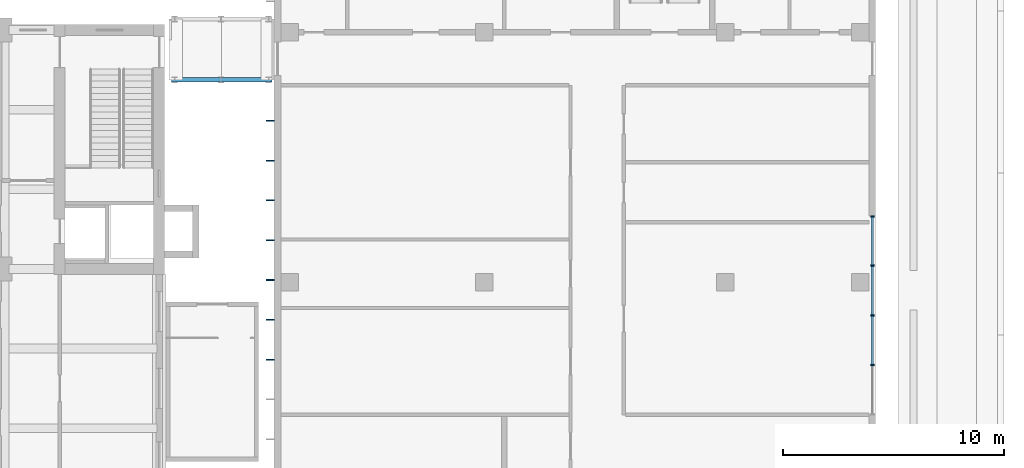
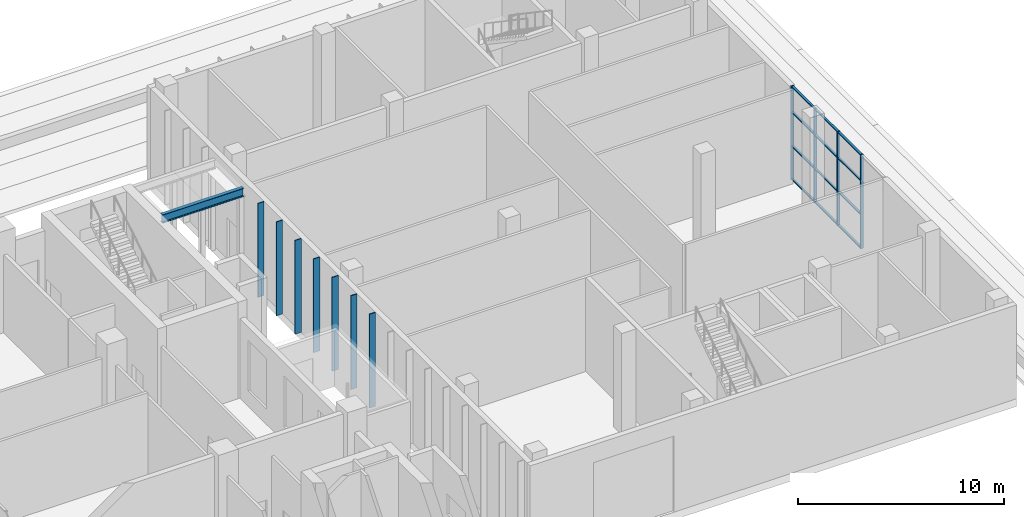
# One storey, part 39 of 71: 23 members, 1 beam, 1 element without a shape of its own.
"""IFC4 building model written with IfcOpenShell, lengths in metres."""

from ifc_helpers import new_model, si_unit, direction, frame, origin, origin_2d, place, context, subcontext, project, spatial, rectangle, i_section, extrude, material, layer, layer_set, material_profile, profile_set, type_object, element, aggregate, save


model = new_model("IFC4")

# Units and contexts
model_context = context("Model", 3, precision=1e-05, world=origin(), true_north=direction((0.0, 1.0)))
body_context = subcontext(model_context, "Body", "Model", "MODEL_VIEW")
ifc_project = project(units=[si_unit("LENGTHUNIT", "METRE"), si_unit("AREAUNIT", "SQUARE_METRE"), si_unit("VOLUMEUNIT", "CUBIC_METRE"), si_unit("PLANEANGLEUNIT", "RADIAN"), si_unit("MASSUNIT", "GRAM", prefix="KILO")], contexts=[model_context])

# Site, building, storey
site_placement = place(None, origin())
site = spatial("IfcSite", under=ifc_project, at=site_placement, CompositionType="ELEMENT")
building_placement = place(site_placement, origin())
building = spatial("IfcBuilding", under=site, at=building_placement, Name="Basin Gate Institute", CompositionType="ELEMENT")
storey_placement = place(building_placement, origin())
storey = spatial("IfcBuildingStorey", under=building, at=storey_placement, Name="L00", CompositionType="ELEMENT", Elevation=0.0)

# Curtain wall, members
ifc_material_1 = material(Name="Aluminium and glass curtain wall", Category="aluminium")
ifc_layer = layer(ifc_material_1, 0.14990234375)
ifc_layer_set = layer_set([ifc_layer], Name="Atrium curtain wall CW81")
curtain_wall_type = type_object("IfcCurtainWallType", Name="Atrium curtain wall CW81", PredefinedType="NOTDEFINED", material=ifc_layer_set)
curtain_wall_placement = place(storey_placement, origin())
curtain_wall = element("IfcCurtainWall", 1, at=curtain_wall_placement, inside=storey, type_object=curtain_wall_type, material=ifc_layer_set, Name="Clean block viewing gallery glazing", PredefinedType="NOTDEFINED")
ifc_material_2 = material(Name="Aluminium mullion", Category="aluminium")
ifc_material_profile_1 = material_profile(ifc_material_2, rectangle(XDim=0.159912109375, YDim=0.06005859375, at=origin_2d()), Name="Atrium mullion MU81 160 x 60")
ifc_profile_set_1 = profile_set([ifc_material_profile_1], Name="Aluminium mullion")
member_type_1 = type_object("IfcMemberType", Name="Atrium mullion MU81", PredefinedType="MULLION", material=ifc_profile_set_1)
member_1_placement = place(storey_placement, frame((151.050048828125, 84.75, 0.0), z_axis=(0.0, 0.0, 1.0), x_axis=(-1.0, 0.0, 0.0)))
member_1 = element("IfcMember", 2, at=member_1_placement, type_object=member_type_1, material=ifc_profile_set_1, Name="CW81 mullion 2", PredefinedType="MULLION", context=body_context, shape_type="SweptSolid", body=[
    extrude(rectangle(XDim=0.159912109375, YDim=0.06005859375, at=origin_2d()), origin(), (0.0, 0.0, 1.0), 5.550048828125),
])
member_2_placement = place(storey_placement, frame((151.050048828125, 87.0, 0.0), z_axis=(0.0, 0.0, 1.0), x_axis=(-1.0, 0.0, 0.0)))
member_2 = element("IfcMember", 3, at=member_2_placement, type_object=member_type_1, material=ifc_profile_set_1, Name="CW81 mullion 3", PredefinedType="MULLION", context=body_context, shape_type="SweptSolid", body=[
    extrude(rectangle(XDim=0.159912109375, YDim=0.06005859375, at=origin_2d()), origin(), (0.0, 0.0, 1.0), 5.550048828125),
])
member_3_placement = place(storey_placement, frame((151.050048828125, 89.25, 0.0), z_axis=(0.0, 0.0, 1.0), x_axis=(-1.0, 0.0, 0.0)))
member_3 = element("IfcMember", 4, at=member_3_placement, type_object=member_type_1, material=ifc_profile_set_1, Name="CW81 mullion 4", PredefinedType="MULLION", context=body_context, shape_type="SweptSolid", body=[
    extrude(rectangle(XDim=0.159912109375, YDim=0.06005859375, at=origin_2d()), origin(), (0.0, 0.0, 1.0), 5.550048828125),
])
member_4_placement = place(storey_placement, frame((151.050048828125, 91.469970703125, 0.0), z_axis=(0.0, 0.0, 1.0), x_axis=(-1.0, 0.0, 0.0)))
member_4 = element("IfcMember", 5, at=member_4_placement, type_object=member_type_1, material=ifc_profile_set_1, Name="CW81 mullion 5", PredefinedType="MULLION", context=body_context, shape_type="SweptSolid", body=[
    extrude(rectangle(XDim=0.159912109375, YDim=0.06005859375, at=origin_2d()), origin(), (0.0, 0.0, 1.0), 5.550048828125),
])
ifc_material_3 = material(Name="Aluminium transom", Category="aluminium")
ifc_material_profile_2 = material_profile(ifc_material_3, rectangle(XDim=0.1201171875, YDim=0.06005859375, at=origin_2d()), Name="Atrium transom TR81 120 x 60")
ifc_profile_set_2 = profile_set([ifc_material_profile_2], Name="Aluminium transom")
member_type_2 = type_object("IfcMemberType", Name="Atrium transom TR81", PredefinedType="USERDEFINED", material=ifc_profile_set_2)
member_5_placement = place(storey_placement, frame((151.050048828125, 84.780029296875, 0.030029296875), z_axis=(0.0, 1.0, 0.0), x_axis=(-1.0, 0.0, 0.0)))
member_5 = element("IfcMember", 6, at=member_5_placement, type_object=member_type_2, material=ifc_profile_set_2, Name="CW81 transom 2.1", ObjectType="TRANSOM", PredefinedType="USERDEFINED", context=body_context, shape_type="SweptSolid", body=[
    extrude(rectangle(XDim=0.1201171875, YDim=0.06005859375, at=origin_2d()), origin(), (0.0, 0.0, 1.0), 2.18994140625),
])
member_6_placement = place(storey_placement, frame((151.050048828125, 84.780029296875, 2.0), z_axis=(0.0, 1.0, 0.0), x_axis=(-1.0, 0.0, 0.0)))
member_6 = element("IfcMember", 7, at=member_6_placement, type_object=member_type_2, material=ifc_profile_set_2, Name="CW81 transom 2.2", ObjectType="TRANSOM", PredefinedType="USERDEFINED", context=body_context, shape_type="SweptSolid", body=[
    extrude(rectangle(XDim=0.1201171875, YDim=0.06005859375, at=origin_2d()), origin(), (0.0, 0.0, 1.0), 2.18994140625),
])
member_7_placement = place(storey_placement, frame((151.050048828125, 84.780029296875, 4.0), z_axis=(0.0, 1.0, 0.0), x_axis=(-1.0, 0.0, 0.0)))
member_7 = element("IfcMember", 8, at=member_7_placement, type_object=member_type_2, material=ifc_profile_set_2, Name="CW81 transom 2.3", ObjectType="TRANSOM", PredefinedType="USERDEFINED", context=body_context, shape_type="SweptSolid", body=[
    extrude(rectangle(XDim=0.1201171875, YDim=0.06005859375, at=origin_2d()), origin(), (0.0, 0.0, 1.0), 2.18994140625),
])
member_8_placement = place(storey_placement, frame((151.050048828125, 84.780029296875, 5.52001953125), z_axis=(0.0, 1.0, 0.0), x_axis=(-1.0, 0.0, 0.0)))
member_8 = element("IfcMember", 9, at=member_8_placement, type_object=member_type_2, material=ifc_profile_set_2, Name="CW81 transom 2.4", ObjectType="TRANSOM", PredefinedType="USERDEFINED", context=body_context, shape_type="SweptSolid", body=[
    extrude(rectangle(XDim=0.1201171875, YDim=0.06005859375, at=origin_2d()), origin(), (0.0, 0.0, 1.0), 2.18994140625),
])
member_9_placement = place(storey_placement, frame((151.050048828125, 87.030029296875, 0.030029296875), z_axis=(0.0, 1.0, 0.0), x_axis=(-1.0, 0.0, 0.0)))
member_9 = element("IfcMember", 10, at=member_9_placement, type_object=member_type_2, material=ifc_profile_set_2, Name="CW81 transom 3.1", ObjectType="TRANSOM", PredefinedType="USERDEFINED", context=body_context, shape_type="SweptSolid", body=[
    extrude(rectangle(XDim=0.1201171875, YDim=0.06005859375, at=origin_2d()), origin(), (0.0, 0.0, 1.0), 2.18994140625),
])
member_10_placement = place(storey_placement, frame((151.050048828125, 87.030029296875, 2.0), z_axis=(0.0, 1.0, 0.0), x_axis=(-1.0, 0.0, 0.0)))
member_10 = element("IfcMember", 11, at=member_10_placement, type_object=member_type_2, material=ifc_profile_set_2, Name="CW81 transom 3.2", ObjectType="TRANSOM", PredefinedType="USERDEFINED", context=body_context, shape_type="SweptSolid", body=[
    extrude(rectangle(XDim=0.1201171875, YDim=0.06005859375, at=origin_2d()), origin(), (0.0, 0.0, 1.0), 2.18994140625),
])
member_11_placement = place(storey_placement, frame((151.050048828125, 87.030029296875, 4.0), z_axis=(0.0, 1.0, 0.0), x_axis=(-1.0, 0.0, 0.0)))
member_11 = element("IfcMember", 12, at=member_11_placement, type_object=member_type_2, material=ifc_profile_set_2, Name="CW81 transom 3.3", ObjectType="TRANSOM", PredefinedType="USERDEFINED", context=body_context, shape_type="SweptSolid", body=[
    extrude(rectangle(XDim=0.1201171875, YDim=0.06005859375, at=origin_2d()), origin(), (0.0, 0.0, 1.0), 2.18994140625),
])
member_12_placement = place(storey_placement, frame((151.050048828125, 87.030029296875, 5.52001953125), z_axis=(0.0, 1.0, 0.0), x_axis=(-1.0, 0.0, 0.0)))
member_12 = element("IfcMember", 13, at=member_12_placement, type_object=member_type_2, material=ifc_profile_set_2, Name="CW81 transom 3.4", ObjectType="TRANSOM", PredefinedType="USERDEFINED", context=body_context, shape_type="SweptSolid", body=[
    extrude(rectangle(XDim=0.1201171875, YDim=0.06005859375, at=origin_2d()), origin(), (0.0, 0.0, 1.0), 2.18994140625),
])
member_13_placement = place(storey_placement, frame((151.050048828125, 89.280029296875, 0.030029296875), z_axis=(0.0, 1.0, 0.0), x_axis=(-1.0, 0.0, 0.0)))
member_13 = element("IfcMember", 14, at=member_13_placement, type_object=member_type_2, material=ifc_profile_set_2, Name="CW81 transom 4.1", ObjectType="TRANSOM", PredefinedType="USERDEFINED", context=body_context, shape_type="SweptSolid", body=[
    extrude(rectangle(XDim=0.1201171875, YDim=0.06005859375, at=origin_2d()), origin(), (0.0, 0.0, 1.0), 2.159912109375),
])
member_14_placement = place(storey_placement, frame((151.050048828125, 89.280029296875, 2.0), z_axis=(0.0, 1.0, 0.0), x_axis=(-1.0, 0.0, 0.0)))
member_14 = element("IfcMember", 15, at=member_14_placement, type_object=member_type_2, material=ifc_profile_set_2, Name="CW81 transom 4.2", ObjectType="TRANSOM", PredefinedType="USERDEFINED", context=body_context, shape_type="SweptSolid", body=[
    extrude(rectangle(XDim=0.1201171875, YDim=0.06005859375, at=origin_2d()), origin(), (0.0, 0.0, 1.0), 2.159912109375),
])
member_15_placement = place(storey_placement, frame((151.050048828125, 89.280029296875, 4.0), z_axis=(0.0, 1.0, 0.0), x_axis=(-1.0, 0.0, 0.0)))
member_15 = element("IfcMember", 16, at=member_15_placement, type_object=member_type_2, material=ifc_profile_set_2, Name="CW81 transom 4.3", ObjectType="TRANSOM", PredefinedType="USERDEFINED", context=body_context, shape_type="SweptSolid", body=[
    extrude(rectangle(XDim=0.1201171875, YDim=0.06005859375, at=origin_2d()), origin(), (0.0, 0.0, 1.0), 2.159912109375),
])
member_16_placement = place(storey_placement, frame((151.050048828125, 89.280029296875, 5.52001953125), z_axis=(0.0, 1.0, 0.0), x_axis=(-1.0, 0.0, 0.0)))
member_16 = element("IfcMember", 17, at=member_16_placement, type_object=member_type_2, material=ifc_profile_set_2, Name="CW81 transom 4.4", ObjectType="TRANSOM", PredefinedType="USERDEFINED", context=body_context, shape_type="SweptSolid", body=[
    extrude(rectangle(XDim=0.1201171875, YDim=0.06005859375, at=origin_2d()), origin(), (0.0, 0.0, 1.0), 2.159912109375),
])
aggregate(curtain_wall, [member_1, member_2, member_3, member_4, member_5, member_6, member_7, member_8, member_9, member_10, member_11, member_12, member_13, member_14, member_15, member_16])

# Beam
ifc_material_4 = material(Name="Structural steel SN490", Category="steel")
ifc_material_profile_3 = material_profile(ifc_material_4, i_section(OverallWidth=0.199951171875, OverallDepth=0.5, WebThickness=0.010009765625, FlangeThickness=0.01611328125, FilletRadius=0.02001953125, at=origin_2d()), Name="H500x200")
ifc_profile_set_3 = profile_set([ifc_material_profile_3], Name="Structural steel SN490")
beam_type = type_object("IfcBeamType", Name="Canopy beam SB1 R180", PredefinedType="BEAM", material=ifc_profile_set_3)
beam_placement = place(storey_placement, frame((119.35009765625, 97.64990234375, 5.050048828125), z_axis=(1.0, 0.0, 0.0), x_axis=(0.0, 1.0, 0.0)))
element("IfcBeam", 18, at=beam_placement, inside=storey, type_object=beam_type, material=ifc_profile_set_3, Name="East court passage beam 1", PredefinedType="BEAM", context=body_context, shape_type="SweptSolid", body=[
    extrude(i_section(OverallWidth=0.199951171875, OverallDepth=0.5, WebThickness=0.010009765625, FlangeThickness=0.01611328125, FilletRadius=0.02001953125, at=origin_2d()), origin(), (0.0, 0.0, 1.0), 4.5498046875),
])

# Members
ifc_material_5 = material(Name="Anodised aluminium", Category="aluminium")
ifc_material_profile_4 = material_profile(ifc_material_5, rectangle(XDim=0.050048828125, YDim=0.35009765625, at=origin_2d()), Name="Louvre fin CF1 50 x 350")
ifc_profile_set_4 = profile_set([ifc_material_profile_4], Name="Anodised aluminium")
member_type_3 = type_object("IfcMemberType", Name="Louvre fin CF1", PredefinedType="PLATE", material=ifc_profile_set_4)
for number, where, z_axis, x_axis, name in (
    (19, (123.824951171875, 85.0, 0.0), (0.0, 0.0, 1.0), (0.0, 1.0, 0.0), "Louvre fin CF1 W9 L00"),
    (20, (123.824951171875, 86.800048828125, 0.0), (0.0, 0.0, 1.0), (0.0, 1.0, 0.0), "Louvre fin CF1 W10 L00"),
    (21, (123.824951171875, 88.60009765625, 0.0), (0.0, 0.0, 1.0), (0.0, 1.0, 0.0), "Louvre fin CF1 W11 L00"),
    (22, (123.824951171875, 90.39990234375, 0.0), (0.0, 0.0, 1.0), (0.0, 1.0, 0.0), "Louvre fin CF1 W12 L00"),
    (23, (123.824951171875, 92.199951171875, 0.0), (0.0, 0.0, 1.0), (0.0, 1.0, 0.0), "Louvre fin CF1 W13 L00"),
    (24, (123.824951171875, 94.0, 0.0), (0.0, 0.0, 1.0), (0.0, 1.0, 0.0), "Louvre fin CF1 W14 L00"),
    (25, (123.824951171875, 95.800048828125, 0.0), (0.0, 0.0, 1.0), (0.0, 1.0, 0.0), "Louvre fin CF1 W15 L00"),
):
    element("IfcMember", number, at=place(storey_placement, frame(where, z_axis=z_axis, x_axis=x_axis)), inside=storey, type_object=member_type_3, material=ifc_profile_set_4, Name=name, PredefinedType="PLATE", context=body_context, shape_type="SweptSolid", body=[
        extrude(rectangle(XDim=0.050048828125, YDim=0.35009765625, at=origin_2d()), origin(), (0.0, 0.0, 1.0), 5.550048828125),
    ])

save(model, "model.ifc")
